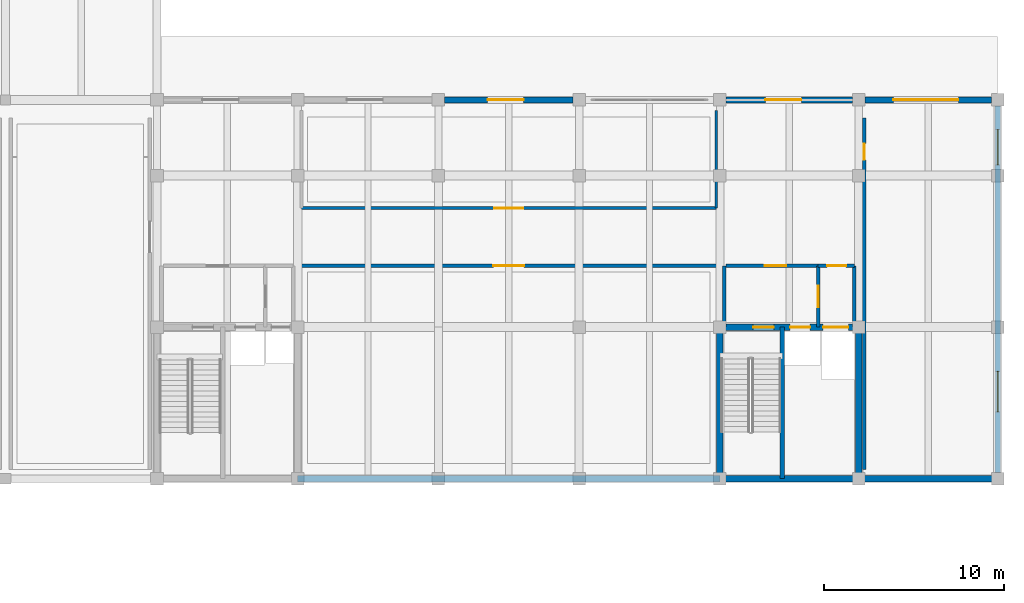
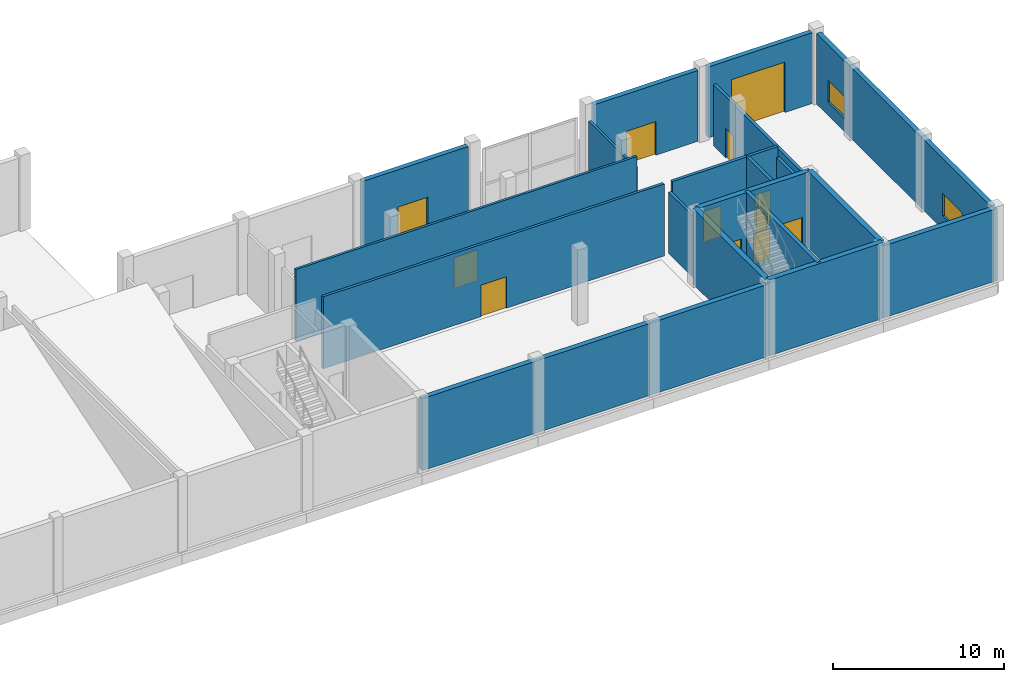
# One storey, part 32 of 41: 20 walls, 12 doors, 2 windows, 14 openings.
"""IFC4 building model written with IfcOpenShell, lengths in metres."""

from ifc_helpers import new_model, si_unit, direction, frame, frame_2d, origin, place, context, subcontext, project, spatial, rectangle, extrude, material, layer, layer_set, type_object, element, fill, save


model = new_model("IFC4")

# Units and contexts
model_context = context("Model", 3, precision=1e-05, world=origin(), true_north=direction((0.0, 1.0)))
body_context = subcontext(model_context, "Body", "Model", "MODEL_VIEW")
ifc_project = project(units=[si_unit("LENGTHUNIT", "METRE"), si_unit("AREAUNIT", "SQUARE_METRE"), si_unit("VOLUMEUNIT", "CUBIC_METRE"), si_unit("PLANEANGLEUNIT", "RADIAN"), si_unit("MASSUNIT", "GRAM", prefix="KILO")], contexts=[model_context])

# Site, building, storey
site_placement = place(None, origin())
site = spatial("IfcSite", under=ifc_project, at=site_placement, CompositionType="ELEMENT")
building_placement = place(site_placement, origin())
building = spatial("IfcBuilding", under=site, at=building_placement, Name="Vharandega Faculty of Natural Sciences", CompositionType="ELEMENT")
storey_placement = place(building_placement, origin())
storey = spatial("IfcBuildingStorey", under=building, at=storey_placement, Name="L00", CompositionType="ELEMENT", Elevation=0.0)

# Wall, opening, door
ifc_material_1 = material(Name="Acoustic masonry blockwork 15 MPa", Category="masonry")
ifc_layer_1 = layer(ifc_material_1, 0.179931640625, Name="Acoustic masonry blockwork 15 MPa")
ifc_layer_set_1 = layer_set([ifc_layer_1], Name="Acoustic masonry blockwork 15 MPa")
wall_type_1 = type_object("IfcWallType", Name="Acoustic Lecture Wall 180", PredefinedType="PARTITIONING", material=ifc_layer_set_1)
wall_1_placement = place(storey_placement, frame((122.800048828125, 75.800048828125, 0.0), z_axis=(0.0, 0.0, 1.0), x_axis=(1.0, 0.0, 0.0)))
wall_1 = element("IfcWall", 1, at=wall_1_placement, inside=storey, type_object=wall_type_1, Name="Interior Wall PW-L00-R19N", PredefinedType="PARTITIONING", context=body_context, shape_type="SweptSolid", body=[
    extrude(rectangle(XDim=23.0, YDim=0.179931640625, at=frame_2d((11.5, 0.0))), origin(), (0.0, 0.0, 1.0), 5.139892578125),
])
opening_1_placement = place(wall_1_placement, frame((10.64990234375, 0.0, 0.0)))
opening_1 = element("IfcOpeningElement", 2, at=opening_1_placement, cuts=wall_1, Name="Opening D0245", PredefinedType="OPENING", context=body_context, shape_type="SweptSolid", body=[
    extrude(rectangle(XDim=1.699951171875, YDim=2.25, at=frame_2d((0.85009765625, 1.125))), frame((0.0, 0.10009765625, 0.0), z_axis=(0.0, -1.0, 0.0), x_axis=(1.0, 0.0, 0.0)), (0.0, 0.0, 1.0), 0.199951171875),
])
ifc_material_2 = material(Name="Solid-core hardwood timber fire door", Category="wood")
door_type_1 = type_object("IfcDoorType", Name="ID01-LECTURE-DBL-1700x2250", OperationType="DOUBLE_DOOR_SINGLE_SWING", PredefinedType="DOOR", material=ifc_material_2)
door_1_placement = place(opening_1_placement, origin())
door_1 = element("IfcDoor", 3, at=door_1_placement, inside=storey, type_object=door_type_1, Name="Sciences Colloquium Auditorium LT-03 Door D0245", OperationType="DOUBLE_DOOR_SINGLE_SWING", OverallHeight=2.25, OverallWidth=1.699951171875, PredefinedType="DOOR", context=body_context, shape_type="SweptSolid", body=[
    extrude(rectangle(XDim=1.699951171875, YDim=2.25, at=frame_2d((0.85009765625, 1.125))), frame((0.0, 0.02490234375, 0.0), z_axis=(0.0, -1.0, 0.0), x_axis=(1.0, 0.0, 0.0)), (0.0, 0.0, 1.0), 0.050048828125),
])
fill(opening_1, door_1)

# Walls
ifc_material_3 = material(Name="Concrete C40/50", Category="concrete")
ifc_layer_2 = layer(ifc_material_3, 0.35009765625, Name="Concrete C40/50")
ifc_layer_set_2 = layer_set([ifc_layer_2], Name="Concrete C40/50")
wall_type_2 = type_object("IfcWallType", Name="Core Shear Wall 350", PredefinedType="SHEAR", material=ifc_layer_set_2)
wall_2_placement = place(storey_placement, frame((146.0, 64.0, 0.0), z_axis=(0.0, 0.0, 1.0), x_axis=(1.0, 0.0, 0.0)))
element("IfcWall", 4, at=wall_2_placement, inside=storey, type_object=wall_type_2, Name="Interior Wall CW-C2-L00-S", PredefinedType="SHEAR", context=body_context, shape_type="SweptSolid", body=[
    extrude(rectangle(XDim=7.699951171875, YDim=0.35009765625, at=frame_2d((3.85009765625, 0.0))), origin(), (0.0, 0.0, 1.0), 5.39990234375),
])
for number, where, z_axis, x_axis, name in (
    (5, (146.0, 64.0, 0.0), (0.0, 0.0, 1.0), (0.0, 1.0, 0.0), "Interior Wall CW-C2-L00-W"),
    (6, (153.699951171875, 64.0, 0.0), (0.0, 0.0, 1.0), (0.0, 1.0, 0.0), "Interior Wall CW-C2-L00-E"),
):
    element("IfcWall", number, at=place(storey_placement, frame(where, z_axis=z_axis, x_axis=x_axis)), inside=storey, type_object=wall_type_2, Name=name, PredefinedType="SHEAR", context=body_context, shape_type="SweptSolid", body=[
        extrude(rectangle(XDim=8.39990234375, YDim=0.35009765625, at=frame_2d((4.199951171875, 0.0))), origin(), (0.0, 0.0, 1.0), 5.39990234375),
    ])

# Wall, openings, doors
wall_3_placement = place(storey_placement, frame((146.0, 72.39990234375, 0.0), z_axis=(0.0, 0.0, 1.0), x_axis=(1.0, 0.0, 0.0)))
wall_3 = element("IfcWall", 7, at=wall_3_placement, inside=storey, type_object=wall_type_2, Name="Interior Wall CW-C2-L00-N", PredefinedType="SHEAR", context=body_context, shape_type="SweptSolid", body=[
    extrude(rectangle(XDim=7.699951171875, YDim=0.35009765625, at=frame_2d((3.85009765625, 0.0))), origin(), (0.0, 0.0, 1.0), 5.39990234375),
])
opening_2_placement = place(wall_3_placement, frame((1.85009765625, 0.0, 0.0)))
opening_2 = element("IfcOpeningElement", 8, at=opening_2_placement, cuts=wall_3, Name="Opening FD1", PredefinedType="OPENING", context=body_context, shape_type="SweptSolid", body=[
    extrude(rectangle(XDim=1.14990234375, YDim=2.199951171875, at=frame_2d((0.574951171875, 1.10009765625))), frame((0.0, 0.18505859375, 0.0), z_axis=(0.0, -1.0, 0.0), x_axis=(1.0, 0.0, 0.0)), (0.0, 0.0, 1.0), 0.3701171875),
])
opening_3_placement = place(wall_3_placement, frame((3.89990234375, 0.0, 0.0)))
opening_3 = element("IfcOpeningElement", 9, at=opening_3_placement, cuts=wall_3, Name="Opening LD-FL2-L00", PredefinedType="OPENING", context=body_context, shape_type="SweptSolid", body=[
    extrude(rectangle(XDim=1.10009765625, YDim=2.14990234375, at=frame_2d((0.550048828125, 1.074951171875))), frame((0.0, 0.18505859375, 0.0), z_axis=(0.0, -1.0, 0.0), x_axis=(1.0, 0.0, 0.0)), (0.0, 0.0, 1.0), 0.3701171875),
])
opening_4_placement = place(wall_3_placement, frame((5.719970703125, 0.0, 0.0)))
opening_4 = element("IfcOpeningElement", 10, at=opening_4_placement, cuts=wall_3, Name="Opening LD-LG1-L00", PredefinedType="OPENING", context=body_context, shape_type="SweptSolid", body=[
    extrude(rectangle(XDim=1.39990234375, YDim=2.300048828125, at=frame_2d((0.699951171875, 1.14990234375))), frame((0.0, 0.18505859375, 0.0), z_axis=(0.0, -1.0, 0.0), x_axis=(1.0, 0.0, 0.0)), (0.0, 0.0, 1.0), 0.3701171875),
])
ifc_material_4 = material(Name="Solid-core hardwood timber fire door", Category="wood")
door_type_2 = type_object("IfcDoorType", Name="FD1-STAIR-1150x2200", OperationType="NOTDEFINED", PredefinedType="DOOR", material=ifc_material_4)
door_2_placement = place(opening_2_placement, origin())
door_2 = element("IfcDoor", 11, at=door_2_placement, inside=storey, type_object=door_type_2, Name="Stair ST2 Fire Door FD1", OperationType="SINGLE_SWING_LEFT", OverallHeight=2.199951171875, OverallWidth=1.14990234375, PredefinedType="DOOR", context=body_context, shape_type="SweptSolid", body=[
    extrude(rectangle(XDim=1.14990234375, YDim=2.199951171875, at=frame_2d((0.574951171875, 1.10009765625))), frame((0.0, 0.02490234375, 0.0), z_axis=(0.0, -1.0, 0.0), x_axis=(1.0, 0.0, 0.0)), (0.0, 0.0, 1.0), 0.050048828125),
])
fill(opening_2, door_2)
ifc_material_5 = material(Name="Brushed stainless steel sliding landing door", Category="steel")
door_type_3 = type_object("IfcDoorType", Name="LD1-FFLIFT-SLIDING-1100x2150", OperationType="DOUBLE_DOOR_SLIDING", PredefinedType="DOOR", material=ifc_material_5)
door_3_placement = place(opening_3_placement, origin())
door_3 = element("IfcDoor", 12, at=door_3_placement, inside=storey, type_object=door_type_3, Name="Lift Landing Door LD-FL2-L00", OperationType="DOUBLE_DOOR_SLIDING", OverallHeight=2.14990234375, OverallWidth=1.10009765625, PredefinedType="DOOR", context=body_context, shape_type="SweptSolid", body=[
    extrude(rectangle(XDim=1.10009765625, YDim=2.14990234375, at=frame_2d((0.550048828125, 1.074951171875))), frame((0.0, 0.02490234375, 0.0), z_axis=(0.0, -1.0, 0.0), x_axis=(1.0, 0.0, 0.0)), (0.0, 0.0, 1.0), 0.050048828125),
])
fill(opening_3, door_3)
ifc_material_6 = material(Name="Brushed stainless steel sliding landing door", Category="steel")
door_type_4 = type_object("IfcDoorType", Name="LD3-GOODSLIFT-SLIDING-1400x2300", OperationType="DOUBLE_DOOR_SLIDING", PredefinedType="DOOR", material=ifc_material_6)
door_4_placement = place(opening_4_placement, origin())
door_4 = element("IfcDoor", 13, at=door_4_placement, inside=storey, type_object=door_type_4, Name="Lift Landing Door LD-LG1-L00", OperationType="DOUBLE_DOOR_SLIDING", OverallHeight=2.300048828125, OverallWidth=1.39990234375, PredefinedType="DOOR", context=body_context, shape_type="SweptSolid", body=[
    extrude(rectangle(XDim=1.39990234375, YDim=2.300048828125, at=frame_2d((0.699951171875, 1.14990234375))), frame((0.0, 0.02490234375, 0.0), z_axis=(0.0, -1.0, 0.0), x_axis=(1.0, 0.0, 0.0)), (0.0, 0.0, 1.0), 0.050048828125),
])
fill(opening_4, door_4)

# Wall, opening, door
ifc_material_7 = material(Name="Concrete C40/50", Category="concrete")
ifc_layer_3 = layer(ifc_material_7, 0.199951171875, Name="Concrete C40/50")
ifc_layer_set_3 = layer_set([ifc_layer_3], Name="Concrete C40/50")
wall_type_3 = type_object("IfcWallType", Name="Firefighting Lobby Wall 200", PredefinedType="PARTITIONING", material=ifc_layer_set_3)
wall_4_placement = place(storey_placement, frame((146.35009765625, 75.800048828125, 0.0), z_axis=(0.0, 0.0, 1.0), x_axis=(1.0, 0.0, 0.0)))
wall_4 = element("IfcWall", 14, at=wall_4_placement, inside=storey, type_object=wall_type_3, Name="Interior Wall PW-FFL-C2-L00-N", PredefinedType="PARTITIONING", context=body_context, shape_type="SweptSolid", body=[
    extrude(rectangle(XDim=5.099853515625, YDim=0.199951171875, at=frame_2d((2.5498046875, 0.0))), origin(), (0.0, 0.0, 1.0), 5.1201171875),
])
opening_5_placement = place(wall_4_placement, frame((2.125, 0.0, 0.0)))
opening_5 = element("IfcOpeningElement", 15, at=opening_5_placement, cuts=wall_4, Name="Opening FD2", PredefinedType="OPENING", context=body_context, shape_type="SweptSolid", body=[
    extrude(rectangle(XDim=1.199951171875, YDim=2.199951171875, at=frame_2d((0.60009765625, 1.10009765625))), frame((0.0, 0.10986328125, 0.0), z_axis=(0.0, -1.0, 0.0), x_axis=(1.0, 0.0, 0.0)), (0.0, 0.0, 1.0), 0.219970703125),
])
ifc_material_8 = material(Name="Solid-core hardwood timber fire door", Category="wood")
door_type_5 = type_object("IfcDoorType", Name="FD2-FFLOBBY-1200x2200", OperationType="NOTDEFINED", PredefinedType="DOOR", material=ifc_material_8)
door_5_placement = place(opening_5_placement, origin())
door_5 = element("IfcDoor", 16, at=door_5_placement, inside=storey, type_object=door_type_5, Name="Firefighting Lobby C2 Door FD2", OperationType="SINGLE_SWING_RIGHT", OverallHeight=2.199951171875, OverallWidth=1.199951171875, PredefinedType="DOOR", context=body_context, shape_type="SweptSolid", body=[
    extrude(rectangle(XDim=1.199951171875, YDim=2.199951171875, at=frame_2d((0.60009765625, 1.10009765625))), frame((0.0, 0.02490234375, 0.0), z_axis=(0.0, -1.0, 0.0), x_axis=(1.0, 0.0, 0.0)), (0.0, 0.0, 1.0), 0.050048828125),
])
fill(opening_5, door_5)

# Wall
wall_5_placement = place(storey_placement, frame((146.25, 72.39990234375, 0.0), z_axis=(0.0, 0.0, 1.0), x_axis=(0.0, 1.0, 0.0)))
element("IfcWall", 17, at=wall_5_placement, inside=storey, type_object=wall_type_3, Name="Interior Wall PW-FFL-C2-L00-W", PredefinedType="PARTITIONING", context=body_context, shape_type="SweptSolid", body=[
    extrude(rectangle(XDim=3.400146484375, YDim=0.199951171875, at=frame_2d((1.7001953125, 0.0))), origin(), (0.0, 0.0, 1.0), 4.3701171875),
])

# Wall, opening, door
wall_6_placement = place(storey_placement, frame((151.449951171875, 72.39990234375, 0.0), z_axis=(0.0, 0.0, 1.0), x_axis=(0.0, 1.0, 0.0)))
wall_6 = element("IfcWall", 18, at=wall_6_placement, inside=storey, type_object=wall_type_3, Name="Interior Wall PW-FFL-C2-L00-E", PredefinedType="PARTITIONING", context=body_context, shape_type="SweptSolid", body=[
    extrude(rectangle(XDim=3.400146484375, YDim=0.199951171875, at=frame_2d((1.7001953125, 0.0))), origin(), (0.0, 0.0, 1.0), 5.1201171875),
])
opening_6_placement = place(wall_6_placement, frame((1.10009765625, 0.0, 0.0)))
opening_6 = element("IfcOpeningElement", 19, at=opening_6_placement, cuts=wall_6, Name="Opening FD2", PredefinedType="OPENING", context=body_context, shape_type="SweptSolid", body=[
    extrude(rectangle(XDim=1.199951171875, YDim=2.199951171875, at=frame_2d((0.60009765625, 1.10009765625))), frame((0.0, 0.10986328125, 0.0), z_axis=(0.0, -1.0, 0.0), x_axis=(1.0, 0.0, 0.0)), (0.0, 0.0, 1.0), 0.219970703125),
])
door_6_placement = place(opening_6_placement, origin())
door_6 = element("IfcDoor", 20, at=door_6_placement, inside=storey, type_object=door_type_5, Name="Lobby Interconnect C2 Door FD2", OperationType="SINGLE_SWING_LEFT", OverallHeight=2.199951171875, OverallWidth=1.199951171875, PredefinedType="DOOR", context=body_context, shape_type="SweptSolid", body=[
    extrude(rectangle(XDim=1.199951171875, YDim=2.199951171875, at=frame_2d((0.60009765625, 1.10009765625))), frame((0.0, 0.02490234375, 0.0), z_axis=(0.0, -1.0, 0.0), x_axis=(1.0, 0.0, 0.0)), (0.0, 0.0, 1.0), 0.050048828125),
])
fill(opening_6, door_6)

wall_7_placement = place(storey_placement, frame((151.449951171875, 75.800048828125, 0.0), z_axis=(0.0, 0.0, 1.0), x_axis=(1.0, 0.0, 0.0)))
wall_7 = element("IfcWall", 21, at=wall_7_placement, inside=storey, type_object=wall_type_3, Name="Interior Wall PW-LL-C2-L00-N", PredefinedType="PARTITIONING", context=body_context, shape_type="SweptSolid", body=[
    extrude(rectangle(XDim=2.0, YDim=0.199951171875, at=frame_2d((1.0, 0.0))), origin(), (0.0, 0.0, 1.0), 5.1201171875),
])
opening_7_placement = place(wall_7_placement, frame((0.5, 0.0, 0.0)))
opening_7 = element("IfcOpeningElement", 22, at=opening_7_placement, cuts=wall_7, Name="Opening FD4", PredefinedType="OPENING", context=body_context, shape_type="SweptSolid", body=[
    extrude(rectangle(XDim=1.050048828125, YDim=2.14990234375, at=frame_2d((0.52490234375, 1.074951171875))), frame((0.0, 0.10986328125, 0.0), z_axis=(0.0, -1.0, 0.0), x_axis=(1.0, 0.0, 0.0)), (0.0, 0.0, 1.0), 0.219970703125),
])
ifc_material_9 = material(Name="Solid-core hardwood timber fire door", Category="wood")
door_type_6 = type_object("IfcDoorType", Name="FD4-LAB-SGL-1050x2150", OperationType="NOTDEFINED", PredefinedType="DOOR", material=ifc_material_9)
door_7_placement = place(opening_7_placement, origin())
door_7 = element("IfcDoor", 23, at=door_7_placement, inside=storey, type_object=door_type_6, Name="Lift Lobby C2 Door FD4", OperationType="SINGLE_SWING_RIGHT", OverallHeight=2.14990234375, OverallWidth=1.050048828125, PredefinedType="DOOR", context=body_context, shape_type="SweptSolid", body=[
    extrude(rectangle(XDim=1.050048828125, YDim=2.14990234375, at=frame_2d((0.52490234375, 1.074951171875))), frame((0.0, 0.02490234375, 0.0), z_axis=(0.0, -1.0, 0.0), x_axis=(1.0, 0.0, 0.0)), (0.0, 0.0, 1.0), 0.050048828125),
])
fill(opening_7, door_7)

# Wall
wall_8_placement = place(storey_placement, frame((153.449951171875, 72.39990234375, 0.0), z_axis=(0.0, 0.0, 1.0), x_axis=(0.0, 1.0, 0.0)))
element("IfcWall", 24, at=wall_8_placement, inside=storey, type_object=wall_type_3, Name="Interior Wall PW-LL-C2-L00-E", PredefinedType="PARTITIONING", context=body_context, shape_type="SweptSolid", body=[
    extrude(rectangle(XDim=3.400146484375, YDim=0.199951171875, at=frame_2d((1.7001953125, 0.0))), origin(), (0.0, 0.0, 1.0), 4.3701171875),
])

# Wall, opening, door
wall_9_placement = place(storey_placement, frame((154.0, 64.5, 0.0), z_axis=(0.0, 0.0, 1.0), x_axis=(0.0, 1.0, 0.0)))
wall_9 = element("IfcWall", 25, at=wall_9_placement, inside=storey, type_object=wall_type_3, Name="Interior Wall PW-L00-R21W", PredefinedType="PARTITIONING", context=body_context, shape_type="SweptSolid", body=[
    extrude(rectangle(XDim=19.5, YDim=0.199951171875, at=frame_2d((9.75, 0.0))), origin(), (0.0, 0.0, 1.0), 4.3701171875),
])
opening_8_placement = place(wall_9_placement, frame((17.169189453125, 0.0, 0.0)))
opening_8 = element("IfcOpeningElement", 26, at=opening_8_placement, cuts=wall_9, Name="Opening FD6", PredefinedType="OPENING", context=body_context, shape_type="SweptSolid", body=[
    extrude(rectangle(XDim=0.89990234375, YDim=2.10009765625, at=frame_2d((0.449951171875, 1.050048828125))), frame((0.0, 0.10986328125, 0.0), z_axis=(0.0, -1.0, 0.0), x_axis=(1.0, 0.0, 0.0)), (0.0, 0.0, 1.0), 0.219970703125),
])
ifc_material_10 = material(Name="Solid-core hardwood timber fire door", Category="wood")
door_type_7 = type_object("IfcDoorType", Name="FD6-RISER-0900x2100", OperationType="NOTDEFINED", PredefinedType="DOOR", material=ifc_material_10)
door_8_placement = place(opening_8_placement, origin())
door_8 = element("IfcDoor", 27, at=door_8_placement, inside=storey, type_object=door_type_7, Name="Goods and Specimen Loading Bay Door FD6", OperationType="SINGLE_SWING_RIGHT", OverallHeight=2.10009765625, OverallWidth=0.89990234375, PredefinedType="DOOR", context=body_context, shape_type="SweptSolid", body=[
    extrude(rectangle(XDim=0.89990234375, YDim=2.10009765625, at=frame_2d((0.449951171875, 1.050048828125))), frame((0.0, 0.02490234375, 0.0), z_axis=(0.0, -1.0, 0.0), x_axis=(1.0, 0.0, 0.0)), (0.0, 0.0, 1.0), 0.050048828125),
])
fill(opening_8, door_8)

# Wall, openings, windows
ifc_material_11 = material(Name="Granite ashlar masonry 25 MPa", Category="masonry")
ifc_layer_4 = layer(ifc_material_11, 0.320068359375, Name="Granite ashlar masonry 25 MPa")
ifc_layer_set_4 = layer_set([ifc_layer_4], Name="Granite ashlar masonry 25 MPa")
wall_type_4 = type_object("IfcWallType", Name="Harare Granite Plinth Wall 320", PredefinedType="SOLIDWALL", material=ifc_layer_set_4)
wall_10_placement = place(storey_placement, frame((161.39990234375, 84.652099609375, 0.0), z_axis=(0.0, 0.0, 1.0), x_axis=(0.0, -1.0, 0.0)))
wall_10 = element("IfcWall", 28, at=wall_10_placement, inside=storey, type_object=wall_type_4, Name="Exterior Wall EW-L00-V4E", PredefinedType="SOLIDWALL", context=body_context, shape_type="SweptSolid", body=[
    extrude(rectangle(XDim=20.30419921875, YDim=0.320068359375, at=frame_2d((10.152099609375, 0.0))), origin(), (0.0, 0.0, 1.0), 5.050048828125),
])
opening_9_placement = place(wall_10_placement, frame((1.302001953125, 0.0, 0.949951171875)))
opening_9 = element("IfcOpeningElement", 29, at=opening_9_placement, cuts=wall_10, Name="Opening WN-21", PredefinedType="OPENING", context=body_context, shape_type="SweptSolid", body=[
    extrude(rectangle(XDim=1.949951171875, YDim=1.550048828125, at=frame_2d((0.97509765625, 0.77490234375))), frame((0.0, 0.169921875, 0.0), z_axis=(0.0, -1.0, 0.0), x_axis=(1.0, 0.0, 0.0)), (0.0, 0.0, 1.0), 0.340087890625),
])
opening_10_placement = place(wall_10_placement, frame((14.701904296875, 0.0, 0.949951171875)))
opening_10 = element("IfcOpeningElement", 30, at=opening_10_placement, cuts=wall_10, Name="Opening WN-23", PredefinedType="OPENING", context=body_context, shape_type="SweptSolid", body=[
    extrude(rectangle(XDim=2.25, YDim=1.60009765625, at=frame_2d((1.125, 0.800048828125))), frame((0.0, 0.169921875, 0.0), z_axis=(0.0, -1.0, 0.0), x_axis=(1.0, 0.0, 0.0)), (0.0, 0.0, 1.0), 0.340087890625),
])
ifc_material_12 = material(Name="Double-glazed solar-control glass in thermally broken aluminium frame", Category="aluminium")
window_type_1 = type_object("IfcWindowType", Name="WIN-SEM-195x155", PartitioningType="DOUBLE_PANEL_VERTICAL", PredefinedType="WINDOW", material=ifc_material_12)
window_1_placement = place(opening_9_placement, origin())
window_1 = element("IfcWindow", 31, at=window_1_placement, inside=storey, type_object=window_type_1, Name="Window WIN-L00-0001", OverallHeight=1.550048828125, OverallWidth=1.949951171875, PartitioningType="SINGLE_PANEL", PredefinedType="WINDOW", context=body_context, shape_type="SweptSolid", body=[
    extrude(rectangle(XDim=1.949951171875, YDim=1.550048828125, at=frame_2d((0.97509765625, 0.77490234375))), frame((0.0, 0.030029296875, 0.0), z_axis=(0.0, -1.0, 0.0), x_axis=(1.0, 0.0, 0.0)), (0.0, 0.0, 1.0), 0.06005859375),
])
fill(opening_9, window_1)
ifc_material_13 = material(Name="Double-glazed solar-control glass in thermally broken aluminium frame", Category="aluminium")
window_type_2 = type_object("IfcWindowType", Name="WIN-SEM-225x160", PartitioningType="DOUBLE_PANEL_VERTICAL", PredefinedType="WINDOW", material=ifc_material_13)
window_2_placement = place(opening_10_placement, origin())
window_2 = element("IfcWindow", 32, at=window_2_placement, inside=storey, type_object=window_type_2, Name="Window WIN-L00-0002", OverallHeight=1.60009765625, OverallWidth=2.25, PartitioningType="SINGLE_PANEL", PredefinedType="WINDOW", context=body_context, shape_type="SweptSolid", body=[
    extrude(rectangle(XDim=2.25, YDim=1.60009765625, at=frame_2d((1.125, 0.800048828125))), frame((0.0, 0.030029296875, 0.0), z_axis=(0.0, -1.0, 0.0), x_axis=(1.0, 0.0, 0.0)), (0.0, 0.0, 1.0), 0.06005859375),
])
fill(opening_10, window_2)

# Wall, opening, door
wall_11_placement = place(storey_placement, frame((130.748046875, 85.0, 0.0), z_axis=(0.0, 0.0, 1.0), x_axis=(1.0, 0.0, 0.0)))
wall_11 = element("IfcWall", 33, at=wall_11_placement, inside=storey, type_object=wall_type_4, Name="Exterior Wall EW-L00-V4N-3", PredefinedType="SOLIDWALL", context=body_context, shape_type="SweptSolid", body=[
    extrude(rectangle(XDim=7.10400390625, YDim=0.320068359375, at=frame_2d((3.552001953125, 0.0))), origin(), (0.0, 0.0, 1.0), 5.050048828125),
])
opening_11_placement = place(wall_11_placement, frame((2.3720703125, 0.0, 0.0)))
opening_11 = element("IfcOpeningElement", 34, at=opening_11_placement, cuts=wall_11, Name="Opening EX-V4-17", PredefinedType="OPENING", context=body_context, shape_type="SweptSolid", body=[
    extrude(rectangle(XDim=2.0, YDim=2.39990234375, at=frame_2d((1.0, 1.199951171875))), frame((0.0, 0.169921875, 0.0), z_axis=(0.0, -1.0, 0.0), x_axis=(1.0, 0.0, 0.0)), (0.0, 0.0, 1.0), 0.340087890625),
])
ifc_material_14 = material(Name="Thermally broken glazed aluminium door", Category="aluminium")
door_type_8 = type_object("IfcDoorType", Name="EXT-ENTRY-DBL-2000x2400", OperationType="DOUBLE_DOOR_SINGLE_SWING", PredefinedType="DOOR", material=ifc_material_14)
door_9_placement = place(opening_11_placement, origin())
door_9 = element("IfcDoor", 35, at=door_9_placement, inside=storey, type_object=door_type_8, Name="East Podium Exit 17 EX-V4-17", OperationType="DOUBLE_DOOR_SINGLE_SWING", OverallHeight=2.39990234375, OverallWidth=2.0, PredefinedType="DOOR", context=body_context, shape_type="SweptSolid", body=[
    extrude(rectangle(XDim=2.0, YDim=2.39990234375, at=frame_2d((1.0, 1.199951171875))), frame((0.0, 0.02490234375, 0.0), z_axis=(0.0, -1.0, 0.0), x_axis=(1.0, 0.0, 0.0)), (0.0, 0.0, 1.0), 0.050048828125),
])
fill(opening_11, door_9)

wall_12_placement = place(storey_placement, frame((146.347900390625, 85.0, 0.0), z_axis=(0.0, 0.0, 1.0), x_axis=(1.0, 0.0, 0.0)))
wall_12 = element("IfcWall", 36, at=wall_12_placement, inside=storey, type_object=wall_type_4, Name="Exterior Wall EW-L00-V4N-5", PredefinedType="SOLIDWALL", context=body_context, shape_type="SweptSolid", body=[
    extrude(rectangle(XDim=7.004150390625, YDim=0.320068359375, at=frame_2d((3.501953125, 0.0))), origin(), (0.0, 0.0, 1.0), 5.050048828125),
])
opening_12_placement = place(wall_12_placement, frame((2.172119140625, 0.0, 0.0)))
opening_12 = element("IfcOpeningElement", 37, at=opening_12_placement, cuts=wall_12, Name="Opening EX-C2", PredefinedType="OPENING", context=body_context, shape_type="SweptSolid", body=[
    extrude(rectangle(XDim=2.0, YDim=2.39990234375, at=frame_2d((1.0, 1.199951171875))), frame((0.0, 0.169921875, 0.0), z_axis=(0.0, -1.0, 0.0), x_axis=(1.0, 0.0, 0.0)), (0.0, 0.0, 1.0), 0.340087890625),
])
door_10_placement = place(opening_12_placement, origin())
door_10 = element("IfcDoor", 38, at=door_10_placement, inside=storey, type_object=door_type_8, Name="Core C2 Final Exit EX-C2", OperationType="DOUBLE_DOOR_SINGLE_SWING", OverallHeight=2.39990234375, OverallWidth=2.0, PredefinedType="DOOR", context=body_context, shape_type="SweptSolid", body=[
    extrude(rectangle(XDim=2.0, YDim=2.39990234375, at=frame_2d((1.0, 1.199951171875))), frame((0.0, 0.02490234375, 0.0), z_axis=(0.0, -1.0, 0.0), x_axis=(1.0, 0.0, 0.0)), (0.0, 0.0, 1.0), 0.050048828125),
])
fill(opening_12, door_10)

wall_13_placement = place(storey_placement, frame((154.048095703125, 85.0, 0.0), z_axis=(0.0, 0.0, 1.0), x_axis=(1.0, 0.0, 0.0)))
wall_13 = element("IfcWall", 39, at=wall_13_placement, inside=storey, type_object=wall_type_4, Name="Exterior Wall EW-L00-V4N-6", PredefinedType="SOLIDWALL", context=body_context, shape_type="SweptSolid", body=[
    extrude(rectangle(XDim=7.00390625, YDim=0.320068359375, at=frame_2d((3.501953125, 0.0))), origin(), (0.0, 0.0, 1.0), 5.050048828125),
])
opening_13_placement = place(wall_13_placement, frame((1.572021484375, 0.0, 0.0)))
opening_13 = element("IfcOpeningElement", 40, at=opening_13_placement, cuts=wall_13, Name="Opening GD-01", PredefinedType="OPENING", context=body_context, shape_type="SweptSolid", body=[
    extrude(rectangle(XDim=3.60009765625, YDim=3.60009765625, at=frame_2d((1.800048828125, 1.800048828125))), frame((0.0, 0.169921875, 0.0), z_axis=(0.0, -1.0, 0.0), x_axis=(1.0, 0.0, 0.0)), (0.0, 0.0, 1.0), 0.340087890625),
])
ifc_material_15 = material(Name="Galvanised steel roller shutter", Category="steel")
door_type_9 = type_object("IfcDoorType", Name="GOODS-DOCK-SHUTTER-3600x3600", OperationType="ROLLINGUP", PredefinedType="GATE", material=ifc_material_15)
door_11_placement = place(opening_13_placement, origin())
door_11 = element("IfcDoor", 41, at=door_11_placement, inside=storey, type_object=door_type_9, Name="Loading Bay Roller Shutter GD-01", OperationType="ROLLINGUP", OverallHeight=3.60009765625, OverallWidth=3.60009765625, PredefinedType="GATE", context=body_context, shape_type="SweptSolid", body=[
    extrude(rectangle(XDim=3.60009765625, YDim=3.60009765625, at=frame_2d((1.800048828125, 1.800048828125))), frame((0.0, 0.02490234375, 0.0), z_axis=(0.0, -1.0, 0.0), x_axis=(1.0, 0.0, 0.0)), (0.0, 0.0, 1.0), 0.050048828125),
])
fill(opening_13, door_11)

# Walls
ifc_material_16 = material(Name="Granite ashlar masonry 25 MPa", Category="masonry")
ifc_layer_5 = layer(ifc_material_16, 0.340087890625, Name="Granite ashlar masonry 25 MPa")
ifc_layer_set_5 = layer_set([ifc_layer_5], Name="Granite ashlar masonry 25 MPa")
wall_type_5 = type_object("IfcWallType", Name="Imperforate Party Wall 340", PredefinedType="SOLIDWALL", material=ifc_layer_set_5)
wall_14_placement = place(storey_placement, frame((146.0, 64.0, 0.0), z_axis=(0.0, 0.0, 1.0), x_axis=(-1.0, 0.0, 0.0)))
element("IfcWall", 42, at=wall_14_placement, inside=storey, type_object=wall_type_5, Name="Exterior Wall EW-PTY-L00-J2A", PredefinedType="SOLIDWALL", context=body_context, shape_type="SweptSolid", body=[
    extrude(rectangle(XDim=23.39990234375, YDim=0.340087890625, at=frame_2d((11.699951171875, 0.0))), origin(), (0.0, 0.0, 1.0), 5.139892578125),
])
wall_15_placement = place(storey_placement, frame((161.39990234375, 64.0, 0.0), z_axis=(0.0, 0.0, 1.0), x_axis=(-1.0, 0.0, 0.0)))
element("IfcWall", 43, at=wall_15_placement, inside=storey, type_object=wall_type_5, Name="Exterior Wall EW-PTY-L00-J2B", PredefinedType="SOLIDWALL", context=body_context, shape_type="SweptSolid", body=[
    extrude(rectangle(XDim=7.699951171875, YDim=0.340087890625, at=frame_2d((3.85009765625, 0.0))), origin(), (0.0, 0.0, 1.0), 5.139892578125),
])

# Wall, opening, door
ifc_material_17 = material(Name="Gypsum fire-board on steel stud", Category="steel")
ifc_layer_6 = layer(ifc_material_17, 0.159912109375, Name="Gypsum fire-board on steel stud")
ifc_layer_set_6 = layer_set([ifc_layer_6], Name="Gypsum fire-board on steel stud")
wall_type_6 = type_object("IfcWallType", Name="Laboratory Fire Corridor Wall 160", PredefinedType="PARTITIONING", material=ifc_layer_set_6)
wall_16_placement = place(storey_placement, frame((122.800048828125, 79.0, 0.0), z_axis=(0.0, 0.0, 1.0), x_axis=(1.0, 0.0, 0.0)))
wall_16 = element("IfcWall", 44, at=wall_16_placement, inside=storey, type_object=wall_type_6, Name="Interior Wall PW-L00-R20S", PredefinedType="PARTITIONING", context=body_context, shape_type="SweptSolid", body=[
    extrude(rectangle(XDim=23.0, YDim=0.159912109375, at=frame_2d((11.5, 0.0))), origin(), (0.0, 0.0, 1.0), 5.139892578125),
])
opening_14_placement = place(wall_16_placement, frame((10.699951171875, 0.0, 0.0)))
opening_14 = element("IfcOpeningElement", 45, at=opening_14_placement, cuts=wall_16, Name="Opening FD3", PredefinedType="OPENING", context=body_context, shape_type="SweptSolid", body=[
    extrude(rectangle(XDim=1.60009765625, YDim=2.199951171875, at=frame_2d((0.800048828125, 1.10009765625))), frame((0.0, 0.08984375, 0.0), z_axis=(0.0, -1.0, 0.0), x_axis=(1.0, 0.0, 0.0)), (0.0, 0.0, 1.0), 0.179931640625),
])
ifc_material_18 = material(Name="Solid-core hardwood timber fire door", Category="wood")
door_type_10 = type_object("IfcDoorType", Name="FD3-LAB-DBL-1600x2200", OperationType="DOUBLE_DOOR_SINGLE_SWING", PredefinedType="DOOR", material=ifc_material_18)
door_12_placement = place(opening_14_placement, origin())
door_12 = element("IfcDoor", 46, at=door_12_placement, inside=storey, type_object=door_type_10, Name="Undergraduate Earth-Science Prep Laboratory Door FD3", OperationType="DOUBLE_DOOR_SINGLE_SWING", OverallHeight=2.199951171875, OverallWidth=1.60009765625, PredefinedType="DOOR", context=body_context, shape_type="SweptSolid", body=[
    extrude(rectangle(XDim=1.60009765625, YDim=2.199951171875, at=frame_2d((0.800048828125, 1.10009765625))), frame((0.0, 0.02490234375, 0.0), z_axis=(0.0, -1.0, 0.0), x_axis=(1.0, 0.0, 0.0)), (0.0, 0.0, 1.0), 0.050048828125),
])
fill(opening_14, door_12)

# Walls
wall_17_placement = place(storey_placement, frame((145.800048828125, 79.0, 0.0), z_axis=(0.0, 0.0, 1.0), x_axis=(0.0, 1.0, 0.0)))
element("IfcWall", 47, at=wall_17_placement, inside=storey, type_object=wall_type_6, Name="Interior Wall PW-L00-R20E", PredefinedType="PARTITIONING", context=body_context, shape_type="SweptSolid", body=[
    extrude(rectangle(XDim=5.39990234375, YDim=0.159912109375, at=frame_2d((2.699951171875, 0.0))), origin(), (0.0, 0.0, 1.0), 4.3701171875),
])
ifc_material_19 = material(Name="Concrete C40/50", Category="concrete")
ifc_layer_7 = layer(ifc_material_19, 0.260009765625, Name="Concrete C40/50")
ifc_layer_set_7 = layer_set([ifc_layer_7], Name="Concrete C40/50")
wall_type_7 = type_object("IfcWallType", Name="Lift Shaft Shear Wall 260", PredefinedType="SHEAR", material=ifc_layer_set_7)
wall_18_placement = place(storey_placement, frame((149.4599609375, 64.0, 0.0), z_axis=(0.0, 0.0, 1.0), x_axis=(0.0, 1.0, 0.0)))
element("IfcWall", 48, at=wall_18_placement, inside=storey, type_object=wall_type_7, Name="Interior Wall CW-C2-L00-DIV", PredefinedType="SHEAR", context=body_context, shape_type="SweptSolid", body=[
    extrude(rectangle(XDim=8.39990234375, YDim=0.260009765625, at=frame_2d((4.199951171875, 0.0))), origin(), (0.0, 0.0, 1.0), 5.39990234375),
])

save(model, "model.ifc")
